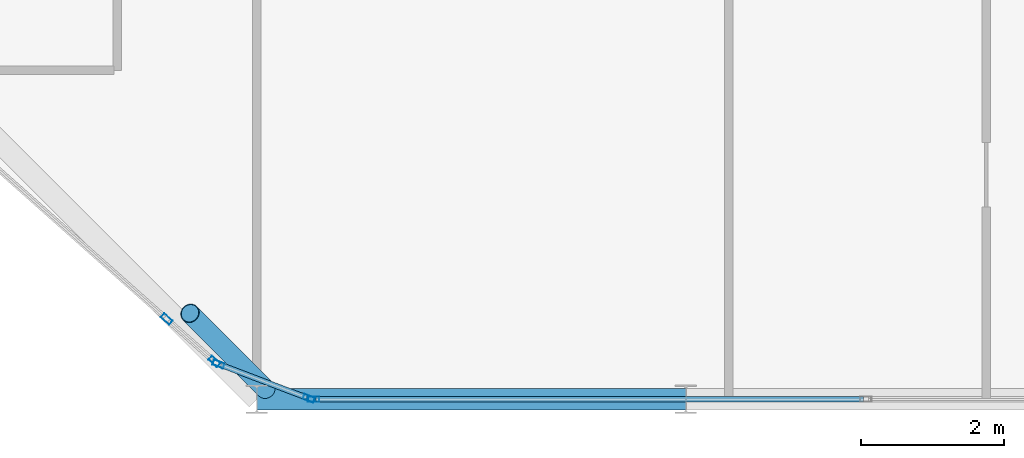
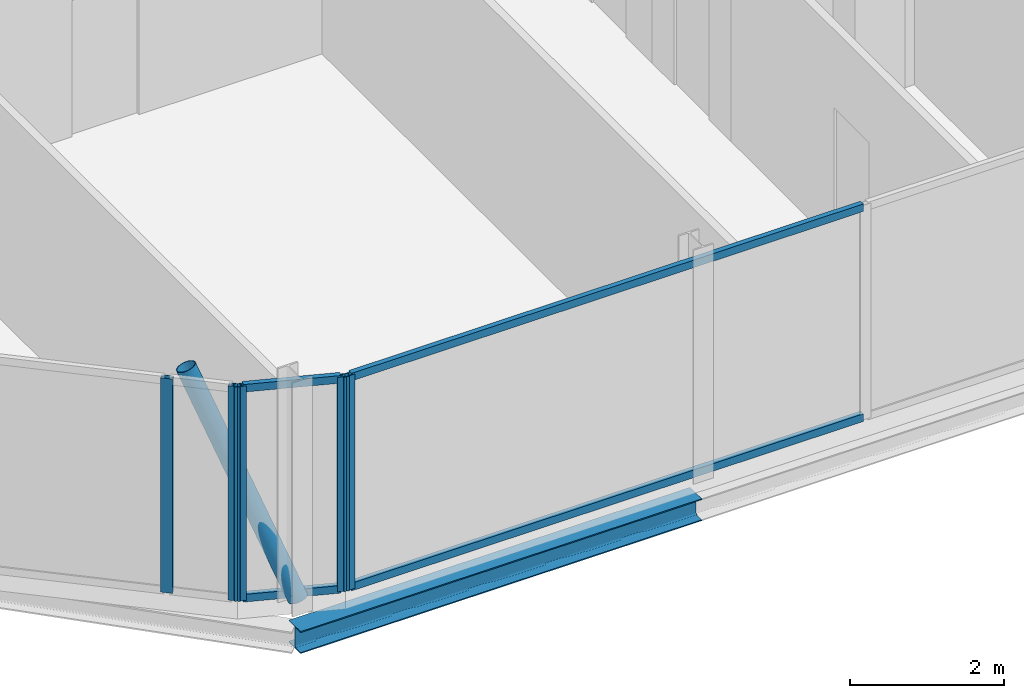
# One storey, part 6 of 31: 10 members, 1 beam, 3 elements without a shape of their own.
"""IFC4 building model written with IfcOpenShell, lengths in metres."""

from ifc_helpers import new_model, si_unit, direction, frame, origin, origin_2d, place, context, subcontext, project, spatial, hollow_rectangle, hollow_circle, i_section, extrude, material, layer, layer_set, material_profile, profile_set, type_object, element, aggregate, save


model = new_model("IFC4")

# Units and contexts
model_context = context("Model", 3, precision=1e-05, world=origin(), true_north=direction((0.0, 1.0)))
body_context = subcontext(model_context, "Body", "Model", "MODEL_VIEW")
ifc_project = project(units=[si_unit("LENGTHUNIT", "METRE"), si_unit("AREAUNIT", "SQUARE_METRE"), si_unit("VOLUMEUNIT", "CUBIC_METRE"), si_unit("PLANEANGLEUNIT", "RADIAN"), si_unit("MASSUNIT", "GRAM", prefix="KILO")], contexts=[model_context])

# Site, building, storey
site_placement = place(None, origin())
site = spatial("IfcSite", under=ifc_project, at=site_placement, CompositionType="ELEMENT")
building_placement = place(site_placement, origin())
building = spatial("IfcBuilding", under=site, at=building_placement, Name="Keshet Zoharim Tower", CompositionType="ELEMENT")
storey_placement = place(building_placement, frame((0.0, 0.0, 276.89990234375)))
storey = spatial("IfcBuildingStorey", under=building, at=storey_placement, Name="L69", CompositionType="ELEMENT", Elevation=276.89990234375)

# Beam
ifc_material_1 = material(Name="Steel S355", Category="steel")
ifc_material_profile_1 = material_profile(ifc_material_1, i_section(OverallWidth=0.300048828125, OverallDepth=0.35009765625, WebThickness=0.010009765625, FlangeThickness=0.017578125, FilletRadius=0.027099609375, at=origin_2d()), Name="HEA360")
ifc_profile_set_1 = profile_set([ifc_material_profile_1], Name="Steel S355")
beam_type = type_object("IfcBeamType", Name="BM-PRI-HA360", PredefinedType="BEAM", material=ifc_profile_set_1)
beam_placement = place(storey_placement, frame((21.0, 6.699951171875, -0.48486328125), z_axis=(1.0, 0.0, 0.0), x_axis=(0.0, 1.0, 0.0)))
element("IfcBeam", 1, at=beam_placement, inside=storey, type_object=beam_type, Name="L69 Primary Girder X-001", PredefinedType="BEAM", context=body_context, shape_type="SweptSolid", body=[
    extrude(i_section(OverallWidth=0.300048828125, OverallDepth=0.35009765625, WebThickness=0.010009765625, FlangeThickness=0.017578125, FilletRadius=0.027099609375, at=origin_2d()), origin(), (0.0, 0.0, 1.0), 6.0),
])

# Curtain wall, member
ifc_material_2 = material(Name="Aluminium 6063-T6", Category="aluminium")
ifc_layer = layer(ifc_material_2, 0.260009765625)
ifc_layer_set = layer_set([ifc_layer], Name="Aluminium 6063-T6")
curtain_wall_type = type_object("IfcCurtainWallType", Name="CW-SYS-06", PredefinedType="NOTDEFINED", material=ifc_layer_set)
curtain_wall_1_placement = place(storey_placement, origin())
curtain_wall_1 = element("IfcCurtainWall", 2, at=curtain_wall_1_placement, inside=storey, type_object=curtain_wall_type, Name="L69 Unitised Curtain Wall 14 Part 3", PredefinedType="NOTDEFINED")
ifc_material_profile_2 = material_profile(ifc_material_2, hollow_rectangle(XDim=0.074951171875, YDim=0.159912109375, WallThickness=0.00390625, at=origin_2d()), Name="MUL-75x160")
ifc_profile_set_2 = profile_set([ifc_material_profile_2], Name="Aluminium 6063-T6")
member_type_1 = type_object("IfcMemberType", Name="CWM-M15", PredefinedType="MULLION", material=ifc_profile_set_2)
member_1_placement = place(storey_placement, frame((21.794921875, 6.699951171875, 0.0), z_axis=(0.0, 0.0, 1.0), x_axis=(0.0, -1.0, 0.0)))
member_1 = element("IfcMember", 3, at=member_1_placement, type_object=member_type_1, Name="CW-06 mullion 3", PredefinedType="MULLION", context=body_context, shape_type="SweptSolid", body=[
    extrude(hollow_rectangle(XDim=0.074951171875, YDim=0.159912109375, WallThickness=0.00390625, at=origin_2d()), origin(), (0.0, 0.0, 1.0), 3.39013671875),
])

# Curtain wall, members
curtain_wall_2_placement = place(storey_placement, origin())
curtain_wall_2 = element("IfcCurtainWall", 4, at=curtain_wall_2_placement, inside=storey, type_object=curtain_wall_type, Name="L69 Unitised Curtain Wall 15", PredefinedType="NOTDEFINED")
member_2_placement = place(storey_placement, frame((21.727294921875, 6.71240234375, 0.0), z_axis=(0.0, 0.0, 1.0), x_axis=(-0.355439161326, -0.934699418314, 0.0)))
member_2 = element("IfcMember", 5, at=member_2_placement, type_object=member_type_1, Name="CW-06 mullion 1", PredefinedType="MULLION", context=body_context, shape_type="SweptSolid", body=[
    extrude(hollow_rectangle(XDim=0.074951171875, YDim=0.159912109375, WallThickness=0.00390625, at=origin_2d()), origin(), (0.0, 0.0, 1.0), 3.39013671875),
])
member_3_placement = place(storey_placement, frame((20.464599609375, 7.192626953125, 0.0), z_axis=(0.0, 0.0, 1.0), x_axis=(-0.355439161326, -0.934699418314, 0.0)))
member_3 = element("IfcMember", 6, at=member_3_placement, type_object=member_type_1, Name="CW-06 mullion 2", PredefinedType="MULLION", context=body_context, shape_type="SweptSolid", body=[
    extrude(hollow_rectangle(XDim=0.074951171875, YDim=0.159912109375, WallThickness=0.00390625, at=origin_2d()), origin(), (0.0, 0.0, 1.0), 3.39013671875),
])

curtain_wall_3_placement = place(storey_placement, origin())
curtain_wall_3 = element("IfcCurtainWall", 7, at=curtain_wall_3_placement, inside=storey, type_object=curtain_wall_type, Name="L69 Unitised Curtain Wall 16", PredefinedType="NOTDEFINED")
member_4_placement = place(storey_placement, frame((20.40576171875, 7.228271484375, 0.0), z_axis=(0.0, 0.0, 1.0), x_axis=(-0.664344500549, -0.747426507819, 0.0)))
member_4 = element("IfcMember", 8, at=member_4_placement, type_object=member_type_1, Name="CW-06 mullion 1", PredefinedType="MULLION", context=body_context, shape_type="SweptSolid", body=[
    extrude(hollow_rectangle(XDim=0.074951171875, YDim=0.159912109375, WallThickness=0.00390625, at=origin_2d()), origin(), (0.0, 0.0, 1.0), 3.39013671875),
])
member_5_placement = place(storey_placement, frame((19.738525390625, 7.821533203125, 0.0), z_axis=(0.0, 0.0, 1.0), x_axis=(-0.664344500549, -0.747426507819, 0.0)))
member_5 = element("IfcMember", 9, at=member_5_placement, type_object=member_type_1, Name="CW-06 mullion 2", PredefinedType="MULLION", context=body_context, shape_type="SweptSolid", body=[
    extrude(hollow_rectangle(XDim=0.074951171875, YDim=0.159912109375, WallThickness=0.00390625, at=origin_2d()), origin(), (0.0, 0.0, 1.0), 3.39013671875),
])
aggregate(curtain_wall_3, [member_4, member_5])

# Member
ifc_material_profile_3 = material_profile(ifc_material_2, hollow_rectangle(XDim=0.074951171875, YDim=0.1201171875, WallThickness=0.00390625, at=origin_2d()), Name="TRN-75x120")
ifc_profile_set_3 = profile_set([ifc_material_profile_3], Name="Aluminium 6063-T6")
member_type_2 = type_object("IfcMemberType", Name="CWT-T12", PredefinedType="USERDEFINED", material=ifc_profile_set_3)
member_6_placement = place(storey_placement, frame((29.482666015625, 6.699951171875, 0.03515625), z_axis=(-1.0, 0.0, 0.0), x_axis=(0.0, -1.0, 0.0)))
member_6 = element("IfcMember", 10, at=member_6_placement, type_object=member_type_2, Name="CW-06 transom 2.1", ObjectType="TRANSOM", PredefinedType="USERDEFINED", context=body_context, shape_type="SweptSolid", body=[
    extrude(hollow_rectangle(XDim=0.074951171875, YDim=0.1201171875, WallThickness=0.00390625, at=origin_2d()), origin(), (0.0, 0.0, 1.0), 7.652587890625),
])

member_7_placement = place(storey_placement, frame((29.482666015625, 6.699951171875, 3.35498046875), z_axis=(-1.0, 0.0, 0.0), x_axis=(0.0, -1.0, 0.0)))
member_7 = element("IfcMember", 11, at=member_7_placement, type_object=member_type_2, Name="CW-06 transom 2.2", ObjectType="TRANSOM", PredefinedType="USERDEFINED", context=body_context, shape_type="SweptSolid", body=[
    extrude(hollow_rectangle(XDim=0.074951171875, YDim=0.1201171875, WallThickness=0.00390625, at=origin_2d()), origin(), (0.0, 0.0, 1.0), 7.652587890625),
])

aggregate(curtain_wall_1, [member_1, member_6, member_7])

member_8_placement = place(storey_placement, frame((21.694580078125, 6.724853515625, 0.03515625), z_axis=(-0.934689881536, 0.355464239206, 0.0), x_axis=(-0.355464239206, -0.934689881536, 0.0)))
member_8 = element("IfcMember", 12, at=member_8_placement, type_object=member_type_2, Name="CW-06 transom 1.1", ObjectType="TRANSOM", PredefinedType="USERDEFINED", context=body_context, shape_type="SweptSolid", body=[
    extrude(hollow_rectangle(XDim=0.074951171875, YDim=0.1201171875, WallThickness=0.00390625, at=origin_2d()), origin(), (0.0, 0.0, 1.0), 1.281005859375),
])

member_9_placement = place(storey_placement, frame((21.694580078125, 6.724853515625, 3.35498046875), z_axis=(-0.934689881536, 0.355464239206, 0.0), x_axis=(-0.355464239206, -0.934689881536, 0.0)))
member_9 = element("IfcMember", 13, at=member_9_placement, type_object=member_type_2, Name="CW-06 transom 1.2", ObjectType="TRANSOM", PredefinedType="USERDEFINED", context=body_context, shape_type="SweptSolid", body=[
    extrude(hollow_rectangle(XDim=0.074951171875, YDim=0.1201171875, WallThickness=0.00390625, at=origin_2d()), origin(), (0.0, 0.0, 1.0), 1.281005859375),
])

aggregate(curtain_wall_2, [member_2, member_3, member_8, member_9])

ifc_material_profile_4 = material_profile(ifc_material_1, hollow_circle(Radius=0.136474609375, WallThickness=0.010009765625, at=origin_2d()), Name="CHS273x10")
ifc_profile_set_4 = profile_set([ifc_material_profile_4], Name="Steel S355")
member_type_3 = type_object("IfcMemberType", Name="MB-BR-C273", PredefinedType="BRACE", material=ifc_profile_set_4)
member_10_placement = place(storey_placement, frame((21.1259765625, 6.842041015625, 0.0), z_axis=(-0.286195917343, 0.286195917343, 0.914430857852), x_axis=(-0.707106781187, -0.707106781187, 0.0)))
element("IfcMember", 14, at=member_10_placement, inside=storey, type_object=member_type_3, Name="L69 Perimeter Tube Brace 02", PredefinedType="BRACE", context=body_context, shape_type="SweptSolid", body=[
    extrude(hollow_circle(Radius=0.136474609375, WallThickness=0.010009765625, at=origin_2d()), origin(), (0.0, 0.0, 1.0), 3.707275390625),
])

save(model, "model.ifc")
